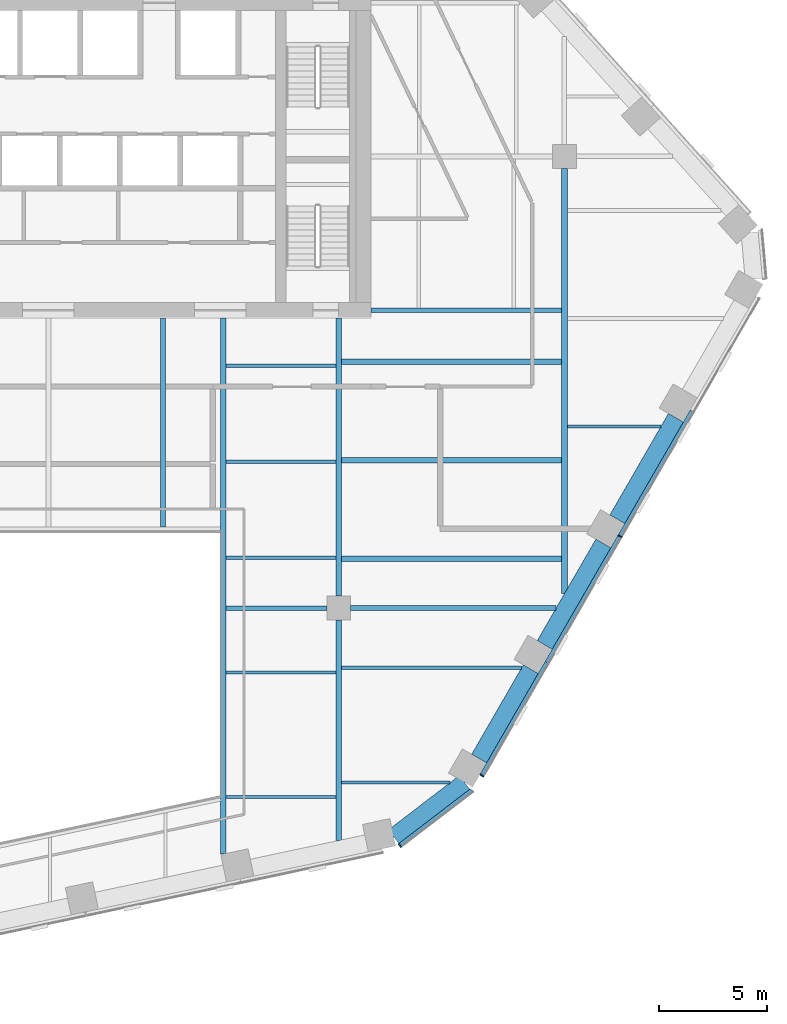
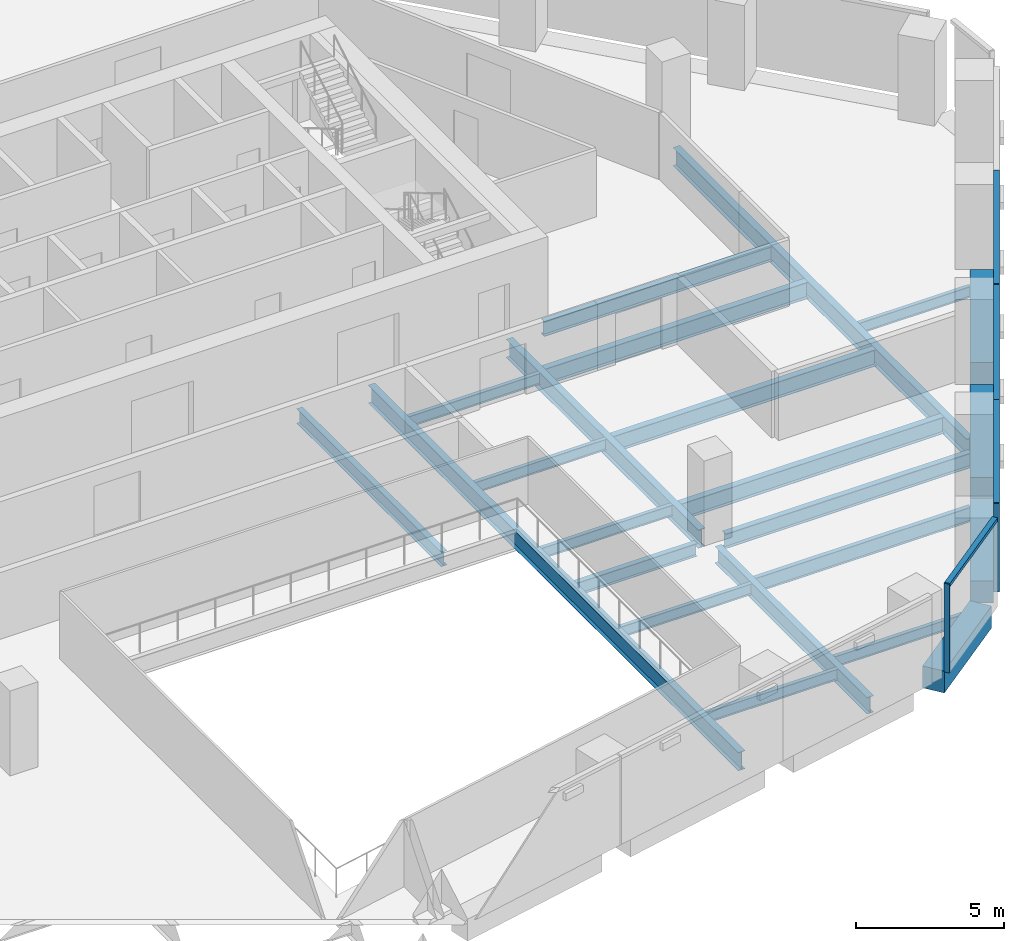
# One storey, part 5 of 17: 23 beams, 7 members, 2 elements without a shape of their own.
"""IFC4 building model written with IfcOpenShell, lengths in metres."""

import ifcopenshell
import ifcopenshell.guid

model = None  # the IFC model being written
_history = None  # IfcOwnerHistory: only IFC2X3 demands one
_inside = {}  # id of a spatial element -> (the spatial element, [elements in it])
_under = {}  # id of a project, library or spatial element -> (it, [spatial elements below it])
_declared = {}  # id of a project -> (the project, [libraries it declares])
_typed = {}  # id of a type object -> (the type object, [elements of that type])
_made_of = {}  # id of a material, layer set ... -> (it, [elements and type objects made of it])


def new_model(schema):
    """Start an empty IFC model of exactly this schema.

    Asked for "IFC4X3", IfcOpenShell would pick the latest addendum, in which some entities
    have other attributes; the version numbers below select the first issue.
    IFC2X3 requires an IfcOwnerHistory on every rooted entity: one is made here for all.
    """
    global model, _history
    if schema == "IFC4X3":
        model = ifcopenshell.file(schema_version=(4, 3, 0, 0))
    else:
        model = ifcopenshell.file(schema=schema)
    _inside.clear()
    _under.clear()
    _declared.clear()
    _typed.clear()
    _made_of.clear()
    _history = None
    if model.schema == "IFC2X3":
        org = make("IfcOrganization", Name="unknown")
        user = make(
            "IfcPersonAndOrganization",
            ThePerson=make("IfcPerson", FamilyName="unknown"),
            TheOrganization=org,
        )
        app = make(
            "IfcApplication",
            ApplicationDeveloper=org,
            Version="unknown",
            ApplicationFullName="unknown",
            ApplicationIdentifier="unknown",
        )
        _history = make(
            "IfcOwnerHistory",
            OwningUser=user,
            OwningApplication=app,
            ChangeAction="ADDED",
            CreationDate=0,
        )
    return model


def make(cls, **values):
    """One entity of the class cls with the attributes given. An attribute that is None is left unset."""
    return model.create_entity(
        cls, **{name: value for name, value in values.items() if value is not None}
    )


def rooted(cls, **values):
    """An entity with a GlobalId (a new one), such as an element, a storey or a relation."""
    return make(cls, GlobalId=ifcopenshell.guid.new(), OwnerHistory=_history, **values)


def si_unit(unit_type, name, prefix=None):
    """IfcSIUnit, for example si_unit("LENGTHUNIT", "METRE", prefix="MILLI")."""
    return make("IfcSIUnit", UnitType=unit_type, Prefix=prefix, Name=name)


def assignment(units):
    """IfcUnitAssignment: the units of a project."""
    return None if units is None else make("IfcUnitAssignment", Units=units)


def point(xyz):
    """IfcCartesianPoint."""
    return None if xyz is None else make("IfcCartesianPoint", Coordinates=xyz)


def direction(xyz):
    """IfcDirection."""
    return None if xyz is None else make("IfcDirection", DirectionRatios=xyz)


def frame(location, z_axis=None, x_axis=None):
    """IfcAxis2Placement3D, a coordinate frame: its origin and axes. An axis left out is left unset."""
    return make(
        "IfcAxis2Placement3D",
        Location=point(location),
        Axis=direction(z_axis),
        RefDirection=direction(x_axis),
    )


def frame_2d(location, x_axis=None):
    """IfcAxis2Placement2D, a coordinate frame in the plane: its origin and x axis."""
    return make(
        "IfcAxis2Placement2D", Location=point(location), RefDirection=direction(x_axis)
    )


def origin():
    """The frame at (0, 0, 0) with its axes left unset."""
    return frame((0.0, 0.0, 0.0))


def origin_2d():
    """The frame at (0, 0) in the plane with its x axis left unset."""
    return frame_2d((0.0, 0.0))


def place(relative_to, where):
    """IfcLocalPlacement: puts the frame where relative to a parent placement (None: the world)."""
    return make(
        "IfcLocalPlacement", PlacementRelTo=relative_to, RelativePlacement=where
    )


def context(
    kind, dimensions, precision=None, world=None, true_north=None, identifier=None
):
    """IfcGeometricRepresentationContext, for example the 3D "Model" context."""
    return make(
        "IfcGeometricRepresentationContext",
        ContextIdentifier=identifier,
        ContextType=kind,
        CoordinateSpaceDimension=dimensions,
        Precision=precision,
        WorldCoordinateSystem=world,
        TrueNorth=true_north,
    )


def subcontext(parent, identifier, kind, view, scale=None):
    """IfcGeometricRepresentationSubContext, for example "Body" below "Model"."""
    return make(
        "IfcGeometricRepresentationSubContext",
        ContextIdentifier=identifier,
        ContextType=kind,
        ParentContext=parent,
        TargetScale=scale,
        TargetView=view,
    )


def project(units=None, contexts=None):
    """IfcProject with its units and contexts."""
    return rooted(
        "IfcProject",
        Name="project",
        RepresentationContexts=contexts,
        UnitsInContext=assignment(units),
    )


def spatial(cls, under=None, at=None, **own):
    """A site, building, storey or space (cls), placed at a placement, below another one or the project."""
    s = rooted(cls, ObjectPlacement=at, **own)
    if under is not None:
        _under.setdefault(under.id(), (under, []))[1].append(s)
    return s


def profile(cls, at=None, kind="AREA", **sizes):
    """A parametric profile (cls). Its sizes go by their IFC names, for example OverallWidth=200.0."""
    return make(cls, ProfileType=kind, Position=at, **sizes)


def rectangle(**sizes):
    """IfcRectangleProfileDef."""
    return profile("IfcRectangleProfileDef", **sizes)


def i_section(**sizes):
    """IfcIShapeProfileDef."""
    return profile("IfcIShapeProfileDef", **sizes)


def extrude(swept, where, along, depth):
    """IfcExtrudedAreaSolid: the profile swept, set in the frame where, extruded along a direction by depth."""
    return make(
        "IfcExtrudedAreaSolid",
        SweptArea=swept,
        Position=where,
        ExtrudedDirection=direction(along),
        Depth=depth,
    )


def shape(context_of_items, identifier, shape_type, items):
    """IfcShapeRepresentation: the items that make up one representation, for example the "Body"."""
    return make(
        "IfcShapeRepresentation",
        ContextOfItems=context_of_items,
        RepresentationIdentifier=identifier,
        RepresentationType=shape_type,
        Items=items,
    )


def material(Name=None, Category=None):
    """IfcMaterial."""
    return make("IfcMaterial", Name=Name, Category=Category)


def layer(
    of_material, thickness, ventilated=None, Name=None, Category=None, Priority=None
):
    """IfcMaterialLayer: one layer of a wall or slab, of a material (None: an air gap)."""
    return make(
        "IfcMaterialLayer",
        Material=of_material,
        LayerThickness=thickness,
        IsVentilated=ventilated,
        Name=Name,
        Category=Category,
        Priority=Priority,
    )


def layer_set(layers, Name=None):
    """IfcMaterialLayerSet."""
    return make("IfcMaterialLayerSet", MaterialLayers=layers, LayerSetName=Name)


def material_profile(
    of_material, cross_section, Name=None, Category=None, Priority=None
):
    """IfcMaterialProfile: a cross section and its material."""
    return make(
        "IfcMaterialProfile",
        Name=Name,
        Material=of_material,
        Profile=cross_section,
        Priority=Priority,
        Category=Category,
    )


def profile_set(profiles, Name=None, composite=None):
    """IfcMaterialProfileSet."""
    return make(
        "IfcMaterialProfileSet",
        Name=Name,
        MaterialProfiles=profiles,
        CompositeProfile=composite,
    )


def made_of(thing, what):
    """Note that an element or type object is made of a material, layer set ...; save() writes the relation."""
    if what is not None:
        _made_of.setdefault(what.id(), (what, []))[1].append(thing)
    return thing


def type_object(cls, material=None, **own):
    """A type object (cls), such as IfcWallType, which elements share."""
    return made_of(rooted(cls, **own), material)


def element(
    cls,
    number,
    at=None,
    inside=None,
    cuts=None,
    type_object=None,
    material=None,
    context=None,
    identifier="Body",
    shape_type=None,
    held_by="IfcProductDefinitionShape",
    body=None,
    shapes=None,
    **own,
):
    """One element of the class cls, such as IfcWall. Its Tag is "e" and its number.

    at: its placement. inside: the storey or other place that contains it. cuts: it is an
    opening in that element (IfcRelVoidsElement). A single representation is given by context,
    identifier, shape_type and body (its items); several are given by shapes. held_by: the class
    of the entity that holds the representations. save() writes the other relations.
    """
    e = rooted(cls, Tag="e%d" % number, ObjectPlacement=at, **own)
    if body is not None:
        shapes = [shape(context, identifier, shape_type, body)]
    if shapes is not None:
        e.Representation = make(held_by, Representations=shapes)
    if inside is not None:
        _inside.setdefault(inside.id(), (inside, []))[1].append(e)
    if cuts is not None:
        rooted(
            "IfcRelVoidsElement", RelatingBuildingElement=cuts, RelatedOpeningElement=e
        )
    if type_object is not None:
        _typed.setdefault(type_object.id(), (type_object, []))[1].append(e)
    return made_of(e, material)


def aggregate(whole, parts):
    """IfcRelAggregates: a whole, such as a stair, and the parts it consists of."""
    return rooted("IfcRelAggregates", RelatingObject=whole, RelatedObjects=parts)


def save(model, path):
    """Write the relations noted so far, then the file.

    IfcRelAggregates (storeys below a building ...), IfcRelContainedInSpatialStructure (elements
    in a storey), IfcRelDefinesByType, IfcRelAssociatesMaterial and IfcRelDeclares: one each for
    every whole, place, type object, material and project.
    """
    for whole, parts in _under.values():
        aggregate(whole, parts)
    for where, things in _inside.values():
        rooted(
            "IfcRelContainedInSpatialStructure",
            RelatedElements=things,
            RelatingStructure=where,
        )
    for kind, things in _typed.values():
        rooted("IfcRelDefinesByType", RelatedObjects=things, RelatingType=kind)
    for what, things in _made_of.values():
        rooted("IfcRelAssociatesMaterial", RelatedObjects=things, RelatingMaterial=what)
    for by, libraries in _declared.values():
        rooted("IfcRelDeclares", RelatingContext=by, RelatedDefinitions=libraries)
    model.write(path)


model = new_model("IFC4")

# Units and contexts
model_context = context("Model", 3, precision=1e-05, world=origin(), true_north=direction((0.0, 1.0)))
body_context = subcontext(model_context, "Body", "Model", "MODEL_VIEW")
ifc_project = project(units=[si_unit("LENGTHUNIT", "METRE"), si_unit("AREAUNIT", "SQUARE_METRE"), si_unit("VOLUMEUNIT", "CUBIC_METRE"), si_unit("PLANEANGLEUNIT", "RADIAN"), si_unit("MASSUNIT", "GRAM", prefix="KILO")], contexts=[model_context])

# Site, building, storey
site_placement = place(None, origin())
site = spatial("IfcSite", under=ifc_project, at=site_placement, CompositionType="ELEMENT")
building_placement = place(site_placement, origin())
building = spatial("IfcBuilding", under=site, at=building_placement, Name="Isthmus Gate Tower", CompositionType="ELEMENT")
storey_placement = place(building_placement, frame((0.0, 0.0, 200.0)))
storey = spatial("IfcBuildingStorey", under=building, at=storey_placement, Name="L50", CompositionType="ELEMENT", Elevation=200.0)

# Curtain wall, member
ifc_material_1 = material(Name="Aluminium, pale champagne anodised", Category="aluminium")
ifc_layer = layer(ifc_material_1, 0.199951171875)
ifc_layer_set = layer_set([ifc_layer], Name="CW-1 UNITISED CURTAIN WALL 200 DEEP")
curtain_wall_type = type_object("IfcCurtainWallType", Name="CW-1 UNITISED CURTAIN WALL 200 DEEP", PredefinedType="NOTDEFINED", material=ifc_layer_set)
curtain_wall_1_placement = place(storey_placement, origin())
curtain_wall_1 = element("IfcCurtainWall", 1, at=curtain_wall_1_placement, inside=storey, type_object=curtain_wall_type, Name="CW-1 S-SE L50", PredefinedType="NOTDEFINED")
ifc_material_2 = material(Name="Aluminium, pale champagne anodised", Category="aluminium")
ifc_material_profile_1 = material_profile(ifc_material_2, rectangle(XDim=0.06005859375, YDim=0.199951171875, at=origin_2d()), Name="60x200")
ifc_profile_set_1 = profile_set([ifc_material_profile_1], Name="Aluminium, pale champagne anodised")
member_type_1 = type_object("IfcMemberType", Name="CW-1 MULLION 60 X 200", PredefinedType="MULLION", material=ifc_profile_set_1)
member_1_placement = place(storey_placement, frame((16.346435546875, -24.5419921875, 0.0), z_axis=(0.0, 0.0, 1.0), x_axis=(0.794188594387, 0.607671355706, 0.0)))
member_1 = element("IfcMember", 2, at=member_1_placement, type_object=member_type_1, Name="CW-1 mullion", PredefinedType="MULLION", context=body_context, shape_type="SweptSolid", body=[
    extrude(rectangle(XDim=0.06005859375, YDim=0.199951171875, at=origin_2d()), origin(), (0.0, 0.0, 1.0), 3.64990234375),
])

# Curtain wall, members
curtain_wall_2_placement = place(storey_placement, origin())
curtain_wall_2 = element("IfcCurtainWall", 3, at=curtain_wall_2_placement, inside=storey, type_object=curtain_wall_type, Name="CW-1 SE L50", PredefinedType="NOTDEFINED")
member_2_placement = place(storey_placement, frame((20.156005859375, -21.288818359375, 0.0), z_axis=(0.0, 0.0, 1.0), x_axis=(0.5, 0.866025403784, 0.0)))
member_2 = element("IfcMember", 4, at=member_2_placement, type_object=member_type_1, Name="CW-1 mullion", PredefinedType="MULLION", context=body_context, shape_type="SweptSolid", body=[
    extrude(rectangle(XDim=0.06005859375, YDim=0.199951171875, at=origin_2d()), origin(), (0.0, 0.0, 1.0), 3.64990234375),
])
member_3_placement = place(storey_placement, frame((26.5810546875, -10.16015625, 0.0), z_axis=(0.0, 0.0, 1.0), x_axis=(0.5, 0.866025403784, 0.0)))
member_3 = element("IfcMember", 5, at=member_3_placement, type_object=member_type_1, Name="CW-1 mullion", PredefinedType="MULLION", context=body_context, shape_type="SweptSolid", body=[
    extrude(rectangle(XDim=0.06005859375, YDim=0.199951171875, at=origin_2d()), origin(), (0.0, 0.0, 1.0), 3.64990234375),
])

# Member
ifc_material_3 = material(Name="Aluminium, pale champagne anodised", Category="aluminium")
ifc_material_profile_2 = material_profile(ifc_material_3, rectangle(XDim=0.199951171875, YDim=0.139892578125, at=origin_2d()), Name="200x140")
ifc_profile_set_2 = profile_set([ifc_material_profile_2], Name="Aluminium, pale champagne anodised")
member_type_2 = type_object("IfcMemberType", Name="CW-1 TRANSOM 200 X 140", PredefinedType="USERDEFINED", material=ifc_profile_set_2)
member_4_placement = place(storey_placement, frame((16.3701171875, -24.52392578125, 3.580078125), z_axis=(0.79419705805, 0.607660294066, 0.0), x_axis=(-0.607660294066, 0.79419705805, 0.0)))
member_4 = element("IfcMember", 6, at=member_4_placement, type_object=member_type_2, Name="CW-1 transom", ObjectType="TRANSOM", PredefinedType="USERDEFINED", context=body_context, shape_type="SweptSolid", body=[
    extrude(rectangle(XDim=0.199951171875, YDim=0.139892578125, at=origin_2d()), origin(), (0.0, 0.0, 1.0), 4.181640625),
])

aggregate(curtain_wall_1, [member_1, member_4])

member_5_placement = place(storey_placement, frame((20.171142578125, -21.2626953125, 3.580078125), z_axis=(0.499990697366, 0.866030774596, 0.0), x_axis=(-0.866030774596, 0.499990697366, 0.0)))
member_5 = element("IfcMember", 7, at=member_5_placement, type_object=member_type_2, Name="CW-1 transom", ObjectType="TRANSOM", PredefinedType="USERDEFINED", context=body_context, shape_type="SweptSolid", body=[
    extrude(rectangle(XDim=0.199951171875, YDim=0.139892578125, at=origin_2d()), origin(), (0.0, 0.0, 1.0), 6.0400390625),
])

member_6_placement = place(storey_placement, frame((23.191162109375, -16.03173828125, 3.580078125), z_axis=(0.499997969693, 0.866026575979, 0.0), x_axis=(-0.866026575979, 0.499997969693, 0.0)))
member_6 = element("IfcMember", 8, at=member_6_placement, type_object=member_type_2, Name="CW-1 transom", ObjectType="TRANSOM", PredefinedType="USERDEFINED", context=body_context, shape_type="SweptSolid", body=[
    extrude(rectangle(XDim=0.199951171875, YDim=0.139892578125, at=origin_2d()), origin(), (0.0, 0.0, 1.0), 6.75),
])

member_7_placement = place(storey_placement, frame((26.59619140625, -10.134033203125, 3.580078125), z_axis=(0.499997283838, 0.866026971956, 0.0), x_axis=(-0.866026971956, 0.499997283838, 0.0)))
member_7 = element("IfcMember", 9, at=member_7_placement, type_object=member_type_2, Name="CW-1 transom", ObjectType="TRANSOM", PredefinedType="USERDEFINED", context=body_context, shape_type="SweptSolid", body=[
    extrude(rectangle(XDim=0.199951171875, YDim=0.139892578125, at=origin_2d()), origin(), (0.0, 0.0, 1.0), 6.68994140625),
])

aggregate(curtain_wall_2, [member_2, member_5, member_6, member_3, member_7])

# Beams
ifc_material_4 = material(Name="Concrete f'c 60 MPa", Category="concrete")
ifc_material_profile_3 = material_profile(ifc_material_4, rectangle(XDim=0.800048828125, YDim=0.89990234375, at=origin_2d()), Name="RC 800X900")
ifc_profile_set_3 = profile_set([ifc_material_profile_3], Name="Concrete f'c 60 MPa")
beam_type_1 = type_object("IfcBeamType", Name="RC SPANDREL 800 X 900", PredefinedType="SPANDREL", material=ifc_profile_set_3)
beam_1_placement = place(storey_placement, frame((29.18310546875, -4.653076171875, -0.449951171875), z_axis=(-0.49996933381, -0.866043108194, 0.0), x_axis=(0.866043108194, -0.49996933381, 0.0)))
element("IfcBeam", 10, at=beam_1_placement, inside=storey, type_object=beam_type_1, Name="str-spandrel-L50-07", PredefinedType="SPANDREL", context=body_context, shape_type="SweptSolid", body=[
    extrude(rectangle(XDim=0.800048828125, YDim=0.89990234375, at=origin_2d()), origin(), (0.0, 0.0, 1.0), 5.449951171875),
])
beam_2_placement = place(storey_placement, frame((25.80810546875, -10.4990234375, -0.449951171875), z_axis=(-0.500002931134, -0.866023711487, 0.0), x_axis=(0.866023711487, -0.500002931134, 0.0)))
element("IfcBeam", 11, at=beam_2_placement, inside=storey, type_object=beam_type_1, Name="str-spandrel-L50-08", PredefinedType="SPANDREL", context=body_context, shape_type="SweptSolid", body=[
    extrude(rectangle(XDim=0.800048828125, YDim=0.89990234375, at=origin_2d()), origin(), (0.0, 0.0, 1.0), 5.4501953125),
])
beam_3_placement = place(storey_placement, frame((22.43310546875, -16.3447265625, -0.449951171875), z_axis=(-0.500017431331, -0.866015339567, 0.0), x_axis=(0.866015339567, -0.500017431331, 0.0)))
element("IfcBeam", 12, at=beam_3_placement, inside=storey, type_object=beam_type_1, Name="str-spandrel-L50-09", PredefinedType="SPANDREL", context=body_context, shape_type="SweptSolid", body=[
    extrude(rectangle(XDim=0.800048828125, YDim=0.89990234375, at=origin_2d()), origin(), (0.0, 0.0, 1.0), 4.800048828125),
])
beam_4_placement = place(storey_placement, frame((19.354248046875, -21.611083984375, -0.449951171875), z_axis=(-0.794205941875, -0.607648682949, 0.0), x_axis=(0.607648682949, -0.794205941875, 0.0)))
element("IfcBeam", 13, at=beam_4_placement, inside=storey, type_object=beam_type_1, Name="str-spandrel-L50-10", PredefinedType="SPANDREL", context=body_context, shape_type="SweptSolid", body=[
    extrude(rectangle(XDim=0.800048828125, YDim=0.89990234375, at=origin_2d()), origin(), (0.0, 0.0, 1.0), 4.15234375),
])
ifc_material_5 = material(Name="Structural steel ASTM A992 Gr 50", Category="steel")
ifc_material_profile_4 = material_profile(ifc_material_5, i_section(OverallWidth=0.15234375, OverallDepth=0.45068359375, WebThickness=0.0078125, FlangeThickness=0.010986328125, at=origin_2d()), Name="W18X35")
ifc_profile_set_4 = profile_set([ifc_material_profile_4], Name="Structural steel ASTM A992 Gr 50")
beam_type_2 = type_object("IfcBeamType", Name="STEEL FLOOR BEAM W18X35", PredefinedType="JOIST", material=ifc_profile_set_4)
for number, where, z_axis, x_axis, name in (
    (14, (8.263427734375, -22.291015625, -0.37548828125), (1.0, 0.0, 0.0), (0.0, 1.0, 0.0), "str-beam-L50-09-00"),
    (15, (8.263427734375, -16.500244140625, -0.37548828125), (1.0, 0.0, 0.0), (0.0, 1.0, 0.0), "str-beam-L50-09-01"),
):
    element("IfcBeam", number, at=place(storey_placement, frame(where, z_axis=z_axis, x_axis=x_axis)), inside=storey, type_object=beam_type_2, Name=name, PredefinedType="JOIST", context=body_context, shape_type="SweptSolid", body=[
        extrude(i_section(OverallWidth=0.15234375, OverallDepth=0.45068359375, WebThickness=0.0078125, FlangeThickness=0.010986328125, at=origin_2d()), origin(), (0.0, 0.0, 1.0), 5.109619140625),
    ])
for number, where, z_axis, x_axis, name in (
    (16, (8.263427734375, -11.16259765625, -0.37548828125), (1.0, 0.0, 0.0), (0.0, 1.0, 0.0), "str-beam-L50-10-00"),
    (17, (8.263427734375, -6.697509765625, -0.37548828125), (1.0, 0.0, 0.0), (0.0, 1.0, 0.0), "str-beam-L50-10-01"),
    (18, (8.263427734375, -2.232421875, -0.37548828125), (1.0, 0.0, 0.0), (0.0, 1.0, 0.0), "str-beam-L50-10-02"),
):
    element("IfcBeam", number, at=place(storey_placement, frame(where, z_axis=z_axis, x_axis=x_axis)), inside=storey, type_object=beam_type_2, Name=name, PredefinedType="JOIST", context=body_context, shape_type="SweptSolid", body=[
        extrude(i_section(OverallWidth=0.15234375, OverallDepth=0.45068359375, WebThickness=0.0078125, FlangeThickness=0.010986328125, at=origin_2d()), origin(), (0.0, 0.0, 1.0), 5.104736328125),
    ])
beam_5_placement = place(storey_placement, frame((13.626953125, -21.61767578125, -0.37548828125), z_axis=(1.0, 0.0, 0.0), x_axis=(0.0, 1.0, 0.0)))
element("IfcBeam", 19, at=beam_5_placement, inside=storey, type_object=beam_type_2, Name="str-beam-L50-11-00", PredefinedType="JOIST", context=body_context, shape_type="SweptSolid", body=[
    extrude(i_section(OverallWidth=0.15234375, OverallDepth=0.45068359375, WebThickness=0.0078125, FlangeThickness=0.010986328125, at=origin_2d()), origin(), (0.0, 0.0, 1.0), 5.060302734375),
])
beam_6_placement = place(storey_placement, frame((24.13330078125, -5.0625, -0.37548828125), z_axis=(1.0, 0.0, 0.0), x_axis=(0.0, 1.0, 0.0)))
element("IfcBeam", 20, at=beam_6_placement, inside=storey, type_object=beam_type_2, Name="str-beam-L50-16-00", PredefinedType="JOIST", context=body_context, shape_type="SweptSolid", body=[
    extrude(i_section(OverallWidth=0.15234375, OverallDepth=0.45068359375, WebThickness=0.0078125, FlangeThickness=0.010986328125, at=origin_2d()), origin(), (0.0, 0.0, 1.0), 4.351806640625),
])
ifc_material_6 = material(Name="Structural steel ASTM A992 Gr 50", Category="steel")
ifc_material_profile_5 = material_profile(ifc_material_6, i_section(OverallWidth=0.177734375, OverallDepth=0.60009765625, WebThickness=0.009521484375, FlangeThickness=0.0126953125, at=origin_2d()), Name="W24X55")
ifc_profile_set_5 = profile_set([ifc_material_profile_5], Name="Structural steel ASTM A992 Gr 50")
beam_type_3 = type_object("IfcBeamType", Name="STEEL FLOOR BEAM W24X55", PredefinedType="JOIST", material=ifc_profile_set_5)
beam_7_placement = place(storey_placement, frame((13.626953125, -16.2822265625, -0.449951171875), z_axis=(1.0, 0.0, 0.0), x_axis=(0.0, 1.0, 0.0)))
element("IfcBeam", 21, at=beam_7_placement, inside=storey, type_object=beam_type_3, Name="str-beam-L50-11-01", PredefinedType="JOIST", context=body_context, shape_type="SweptSolid", body=[
    extrude(i_section(OverallWidth=0.177734375, OverallDepth=0.60009765625, WebThickness=0.009521484375, FlangeThickness=0.0126953125, at=origin_2d()), origin(), (0.0, 0.0, 1.0), 8.38037109375),
])
ifc_material_7 = material(Name="Structural steel ASTM A992 Gr 50", Category="steel")
ifc_material_profile_6 = material_profile(ifc_material_7, i_section(OverallWidth=0.228515625, OverallDepth=0.603271484375, WebThickness=0.010986328125, FlangeThickness=0.014404296875, at=origin_2d()), Name="W24X68")
ifc_profile_set_6 = profile_set([ifc_material_profile_6], Name="Structural steel ASTM A992 Gr 50")
beam_type_4 = type_object("IfcBeamType", Name="STEEL FLOOR BEAM W24X68", PredefinedType="JOIST", material=ifc_profile_set_6)
beam_8_placement = place(storey_placement, frame((5.333251953125, -9.7333984375, -0.45166015625), z_axis=(0.0, 1.0, 0.0), x_axis=(-1.0, 0.0, 0.0)))
element("IfcBeam", 22, at=beam_8_placement, inside=storey, type_object=beam_type_4, Name="str-beam-L50-06-02", PredefinedType="JOIST", context=body_context, shape_type="SweptSolid", body=[
    extrude(i_section(OverallWidth=0.228515625, OverallDepth=0.603271484375, WebThickness=0.010986328125, FlangeThickness=0.014404296875, at=origin_2d()), origin(), (0.0, 0.0, 1.0), 9.7333984375),
])
ifc_material_8 = material(Name="Structural steel ASTM A992 Gr 50", Category="steel")
ifc_material_profile_7 = material_profile(ifc_material_8, i_section(OverallWidth=0.25390625, OverallDepth=0.679443359375, WebThickness=0.010986328125, FlangeThickness=0.015869140625, at=origin_2d()), Name="W27X84")
ifc_profile_set_7 = profile_set([ifc_material_profile_7], Name="Structural steel ASTM A992 Gr 50")
beam_type_5 = type_object("IfcBeamType", Name="STEEL FLOOR BEAM W27X84", PredefinedType="JOIST", material=ifc_profile_set_7)
for number, where, z_axis, x_axis, name in (
    (23, (13.6318359375, -11.210693359375, -0.48974609375), (1.0, 0.0, 0.0), (0.0, 1.0, 0.0), "str-beam-L50-12-00"),
    (24, (13.6318359375, -6.632080078125, -0.48974609375), (1.0, 0.0, 0.0), (0.0, 1.0, 0.0), "str-beam-L50-12-01"),
    (25, (13.6318359375, -2.053466796875, -0.48974609375), (1.0, 0.0, 0.0), (0.0, 1.0, 0.0), "str-beam-L50-12-02"),
):
    element("IfcBeam", number, at=place(storey_placement, frame(where, z_axis=z_axis, x_axis=x_axis)), inside=storey, type_object=beam_type_5, Name=name, PredefinedType="JOIST", context=body_context, shape_type="SweptSolid", body=[
        extrude(i_section(OverallWidth=0.25390625, OverallDepth=0.679443359375, WebThickness=0.010986328125, FlangeThickness=0.015869140625, at=origin_2d()), origin(), (0.0, 0.0, 1.0), 10.23486328125),
    ])
ifc_material_9 = material(Name="Structural steel ASTM A992 Gr 50", Category="steel")
ifc_material_profile_8 = material_profile(ifc_material_9, i_section(OverallWidth=0.20947265625, OverallDepth=0.533447265625, WebThickness=0.009521484375, FlangeThickness=0.015869140625, at=origin_2d()), Name="W21X62")
ifc_profile_set_8 = profile_set([ifc_material_profile_8], Name="Structural steel ASTM A992 Gr 50")
beam_type_6 = type_object("IfcBeamType", Name="STEEL GIRDER W21X62", PredefinedType="BEAM", material=ifc_profile_set_8)
beam_9_placement = place(storey_placement, frame((8.263427734375, -13.5, -0.416748046875), z_axis=(1.0, 0.0, 0.0), x_axis=(0.0, 1.0, 0.0)))
element("IfcBeam", 26, at=beam_9_placement, inside=storey, type_object=beam_type_6, Name="str-girder-L50-03", PredefinedType="BEAM", context=body_context, shape_type="SweptSolid", body=[
    extrude(i_section(OverallWidth=0.20947265625, OverallDepth=0.533447265625, WebThickness=0.009521484375, FlangeThickness=0.015869140625, at=origin_2d()), origin(), (0.0, 0.0, 1.0), 4.6865234375),
])
ifc_material_10 = material(Name="Structural steel ASTM A992 Gr 50", Category="steel")
ifc_material_profile_9 = material_profile(ifc_material_10, i_section(OverallWidth=0.228515625, OverallDepth=0.6064453125, WebThickness=0.010986328125, FlangeThickness=0.017578125, at=origin_2d()), Name="W24X76")
ifc_profile_set_9 = profile_set([ifc_material_profile_9], Name="Structural steel ASTM A992 Gr 50")
beam_type_7 = type_object("IfcBeamType", Name="STEEL GIRDER W24X76", PredefinedType="BEAM", material=ifc_profile_set_9)
beam_10_placement = place(storey_placement, frame((14.050048828125, -13.5, -0.453125), z_axis=(1.0, 0.0, 0.0), x_axis=(0.0, 1.0, 0.0)))
element("IfcBeam", 27, at=beam_10_placement, inside=storey, type_object=beam_type_7, Name="str-girder-L50-04", PredefinedType="BEAM", context=body_context, shape_type="SweptSolid", body=[
    extrude(i_section(OverallWidth=0.228515625, OverallDepth=0.6064453125, WebThickness=0.010986328125, FlangeThickness=0.017578125, at=origin_2d()), origin(), (0.0, 0.0, 1.0), 9.5634765625),
])
beam_11_placement = place(storey_placement, frame((15.0, 0.35009765625, -0.453125), z_axis=(1.0, 0.0, 0.0), x_axis=(0.0, 1.0, 0.0)))
element("IfcBeam", 28, at=beam_11_placement, inside=storey, type_object=beam_type_7, Name="str-girder-L50-14", PredefinedType="BEAM", context=body_context, shape_type="SweptSolid", body=[
    extrude(i_section(OverallWidth=0.228515625, OverallDepth=0.6064453125, WebThickness=0.010986328125, FlangeThickness=0.017578125, at=origin_2d()), origin(), (0.0, 0.0, 1.0), 8.86669921875),
])
ifc_material_11 = material(Name="Structural steel ASTM A992 Gr 50", Category="steel")
ifc_material_profile_10 = material_profile(ifc_material_11, i_section(OverallWidth=0.25390625, OverallDepth=0.679443359375, WebThickness=0.010986328125, FlangeThickness=0.015869140625, at=origin_2d()), Name="W27X84")
ifc_profile_set_10 = profile_set([ifc_material_profile_10], Name="Structural steel ASTM A992 Gr 50")
beam_type_8 = type_object("IfcBeamType", Name="STEEL GIRDER W27X84", PredefinedType="BEAM", material=ifc_profile_set_10)
beam_12_placement = place(storey_placement, frame((13.5, -24.3125, -0.48974609375), z_axis=(0.0, 1.0, 0.0), x_axis=(-1.0, 0.0, 0.0)))
element("IfcBeam", 29, at=beam_12_placement, inside=storey, type_object=beam_type_8, Name="str-girder-L50-09", PredefinedType="BEAM", context=body_context, shape_type="SweptSolid", body=[
    extrude(i_section(OverallWidth=0.25390625, OverallDepth=0.679443359375, WebThickness=0.010986328125, FlangeThickness=0.015869140625, at=origin_2d()), origin(), (0.0, 0.0, 1.0), 10.262451171875),
])
ifc_material_12 = material(Name="Structural steel ASTM A992 Gr 50", Category="steel")
ifc_material_profile_11 = material_profile(ifc_material_12, i_section(OverallWidth=0.2666015625, OverallDepth=0.7587890625, WebThickness=0.014404296875, FlangeThickness=0.01904296875, at=origin_2d()), Name="W30X108")
ifc_profile_set_11 = profile_set([ifc_material_profile_11], Name="Structural steel ASTM A992 Gr 50")
beam_type_9 = type_object("IfcBeamType", Name="STEEL GIRDER W30X108", PredefinedType="BEAM", material=ifc_profile_set_11)
beam_13_placement = place(storey_placement, frame((24.0, -12.830810546875, -0.529296875), z_axis=(0.0, 1.0, 0.0), x_axis=(-1.0, 0.0, 0.0)))
element("IfcBeam", 30, at=beam_13_placement, inside=storey, type_object=beam_type_9, Name="str-girder-L50-11", PredefinedType="BEAM", context=body_context, shape_type="SweptSolid", body=[
    extrude(i_section(OverallWidth=0.2666015625, OverallDepth=0.7587890625, WebThickness=0.014404296875, FlangeThickness=0.01904296875, at=origin_2d()), origin(), (0.0, 0.0, 1.0), 19.78076171875),
])
ifc_material_13 = material(Name="Structural steel ASTM A992 Gr 50", Category="steel")
ifc_material_profile_12 = material_profile(ifc_material_13, i_section(OverallWidth=0.263427734375, OverallDepth=0.749267578125, WebThickness=0.0126953125, FlangeThickness=0.015869140625, at=origin_2d()), Name="W30X90")
ifc_profile_set_12 = profile_set([ifc_material_profile_12], Name="Structural steel ASTM A992 Gr 50")
beam_type_10 = type_object("IfcBeamType", Name="STEEL GIRDER W30X90", PredefinedType="BEAM", material=ifc_profile_set_12)
beam_14_placement = place(storey_placement, frame((13.5, -12.949951171875, -0.524658203125), z_axis=(0.0, 1.0, 0.0), x_axis=(-1.0, 0.0, 0.0)))
element("IfcBeam", 31, at=beam_14_placement, inside=storey, type_object=beam_type_10, Name="str-girder-L50-10", PredefinedType="BEAM", context=body_context, shape_type="SweptSolid", body=[
    extrude(i_section(OverallWidth=0.263427734375, OverallDepth=0.749267578125, WebThickness=0.0126953125, FlangeThickness=0.015869140625, at=origin_2d()), origin(), (0.0, 0.0, 1.0), 12.949951171875),
])
ifc_material_14 = material(Name="Structural steel ASTM A992 Gr 50", Category="steel")
ifc_material_profile_13 = material_profile(ifc_material_14, i_section(OverallWidth=0.263427734375, OverallDepth=0.749267578125, WebThickness=0.0126953125, FlangeThickness=0.015869140625, at=origin_2d()), Name="W30X90")
ifc_profile_set_13 = profile_set([ifc_material_profile_13], Name="Structural steel ASTM A992 Gr 50")
beam_type_11 = type_object("IfcBeamType", Name="STEEL TRIMMER W30X90", PredefinedType="BEAM", material=ifc_profile_set_13)
beam_15_placement = place(storey_placement, frame((8.1318359375, -24.9423828125, -0.524658203125), z_axis=(0.0, 1.0, 0.0), x_axis=(-1.0, 0.0, 0.0)))
element("IfcBeam", 32, at=beam_15_placement, inside=storey, type_object=beam_type_11, Name="str-trimmer-L50-01", PredefinedType="BEAM", context=body_context, shape_type="SweptSolid", body=[
    extrude(i_section(OverallWidth=0.263427734375, OverallDepth=0.749267578125, WebThickness=0.0126953125, FlangeThickness=0.015869140625, at=origin_2d()), origin(), (0.0, 0.0, 1.0), 24.9423828125),
])

save(model, "model.ifc")
